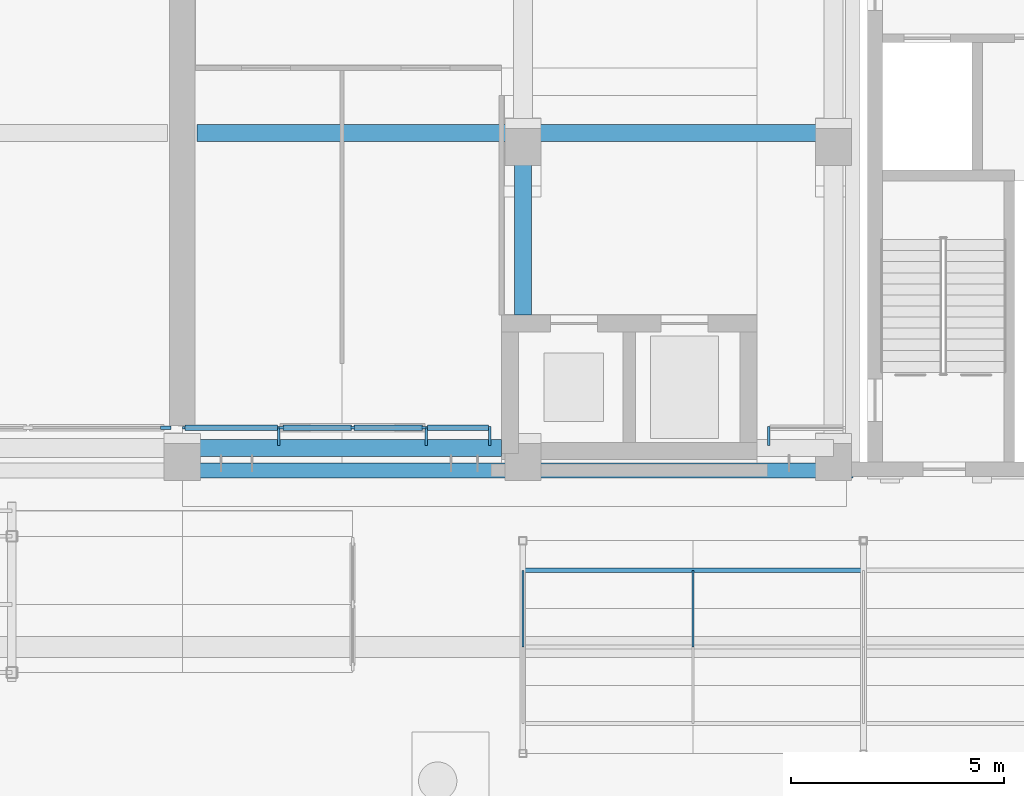
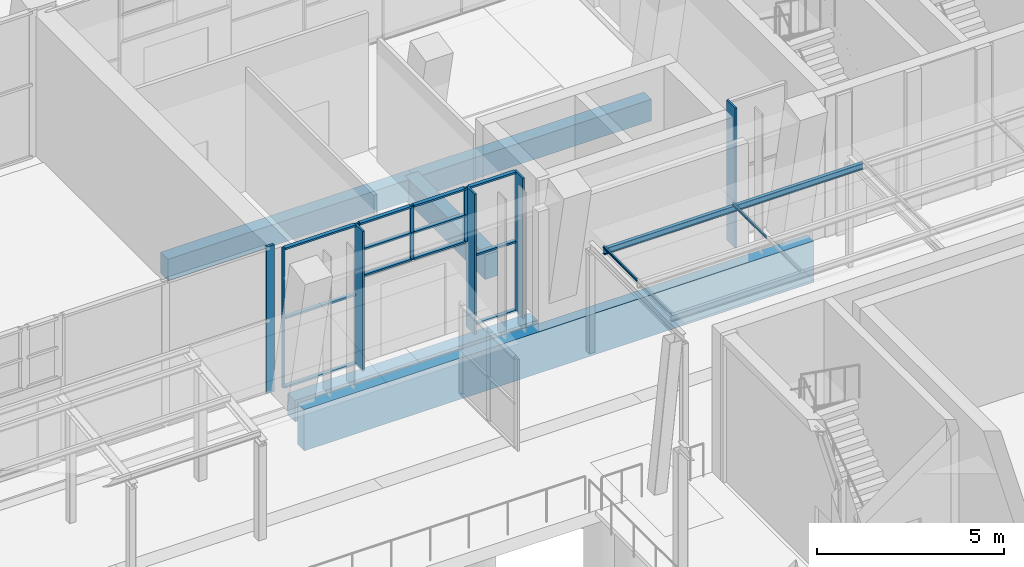
# One storey, part 40 of 144: 24 members, 5 beams, 5 elements without a shape of their own.
"""IFC4 building model written with IfcOpenShell, lengths in metres."""

from ifc_helpers import new_model, si_unit, direction, frame, origin, origin_2d, place, context, subcontext, project, spatial, rectangle, i_section, extrude, material, material_profile, profile_set, type_object, element, aggregate, save


model = new_model("IFC4")

# Units and contexts
model_context = context("Model", 3, precision=1e-05, world=origin(), true_north=direction((0.0, 1.0)))
body_context = subcontext(model_context, "Body", "Model", "MODEL_VIEW")
ifc_project = project(units=[si_unit("LENGTHUNIT", "METRE"), si_unit("AREAUNIT", "SQUARE_METRE"), si_unit("VOLUMEUNIT", "CUBIC_METRE"), si_unit("PLANEANGLEUNIT", "RADIAN"), si_unit("MASSUNIT", "GRAM", prefix="KILO")], contexts=[model_context])

# Site, building, storey
site_placement = place(None, origin())
site = spatial("IfcSite", under=ifc_project, at=site_placement, CompositionType="ELEMENT")
building_placement = place(site_placement, origin())
building = spatial("IfcBuilding", under=site, at=building_placement, Name="Lantern Court Media Centre", CompositionType="ELEMENT")
storey_placement = place(building_placement, origin())
storey = spatial("IfcBuildingStorey", under=building, at=storey_placement, Name="L00", CompositionType="ELEMENT", Elevation=0.0)

# Members
ifc_material_1 = material(Name="Steel S355J2 (EN 10025-2)", Category="steel")
ifc_material_profile_1 = material_profile(ifc_material_1, i_section(OverallWidth=0.10009765625, OverallDepth=0.199951171875, WebThickness=0.005615234375, FlangeThickness=0.008544921875, FilletRadius=0.011962890625, at=origin_2d()), Name="IPE 200")
ifc_profile_set_1 = profile_set([ifc_material_profile_1], Name="Steel S355J2 (EN 10025-2)")
member_type_1 = type_object("IfcMemberType", Name="Cloister canopy purlin IPE 200", PredefinedType="PURLIN", material=ifc_profile_set_1)
member_1_placement = place(storey_placement, frame((72.0, 45.800048828125, 3.699951171875), z_axis=(1.0, 0.0, 0.0), x_axis=(0.0, 1.0, 0.0)))
element("IfcMember", 1, at=member_1_placement, inside=storey, type_object=member_type_1, Name="Cloister purlin 2-3-1", PredefinedType="PURLIN", context=body_context, shape_type="SweptSolid", body=[
    extrude(i_section(OverallWidth=0.10009765625, OverallDepth=0.199951171875, WebThickness=0.005615234375, FlangeThickness=0.008544921875, FilletRadius=0.011962890625, at=origin_2d()), origin(), (0.0, 0.0, 1.0), 8.0),
])
ifc_material_profile_2 = material_profile(ifc_material_1, i_section(OverallWidth=0.0458984375, OverallDepth=0.080078125, WebThickness=0.00390625, FlangeThickness=0.005126953125, FilletRadius=0.0048828125, at=origin_2d()), Name="IPE 80")
ifc_profile_set_2 = profile_set([ifc_material_profile_2], Name="Steel S355J2 (EN 10025-2)")
member_type_2 = type_object("IfcMemberType", Name="Cloister sheeting rail IPE 80", PredefinedType="STRUT", material=ifc_profile_set_2)
for number, where, z_axis, x_axis, name in (
    (2, (72.0, 44.0, 3.840087890625), (0.0, 1.0, 0.0), (-1.0, 0.0, 0.0), "Cloister sheeting rail 2-1-2"),
    (3, (76.0, 44.0, 3.840087890625), (0.0, 1.0, 0.0), (-1.0, 0.0, 0.0), "Cloister sheeting rail 2-2-2"),
):
    element("IfcMember", number, at=place(storey_placement, frame(where, z_axis=z_axis, x_axis=x_axis)), inside=storey, type_object=member_type_2, Name=name, PredefinedType="STRUT", context=body_context, shape_type="SweptSolid", body=[
        extrude(i_section(OverallWidth=0.0458984375, OverallDepth=0.080078125, WebThickness=0.00390625, FlangeThickness=0.005126953125, FilletRadius=0.0048828125, at=origin_2d()), origin(), (0.0, 0.0, 1.0), 1.800048828125),
    ])

# Curtain wall, members
ifc_material_2 = material(Name="Curtain wall bay 1700")
curtain_wall_type_1 = type_object("IfcCurtainWallType", Name="Curtain wall bay 1700", PredefinedType="NOTDEFINED", material=ifc_material_2)
curtain_wall_1_placement = place(storey_placement, origin())
curtain_wall_1 = element("IfcCurtainWall", 4, at=curtain_wall_1_placement, inside=storey, type_object=curtain_wall_type_1, Name="Curtain wall S outer L00", PredefinedType="NOTDEFINED")
ifc_material_3 = material(Name="Anodised aluminium", Category="aluminium")
ifc_material_profile_3 = material_profile(ifc_material_3, rectangle(XDim=0.06005859375, YDim=0.1201171875, at=origin_2d()), Name="AL 60x120")
ifc_profile_set_3 = profile_set([ifc_material_profile_3], Name="Anodised aluminium")
member_type_3 = type_object("IfcMemberType", Name="Curtain wall mullion 60x120", PredefinedType="MULLION", material=ifc_profile_set_3)
member_2_placement = place(storey_placement, frame((66.330078125, 49.14990234375, 2.800048828125), z_axis=(0.0, 0.0, 1.0), x_axis=(0.0, 1.0, 0.0)))
member_2 = element("IfcMember", 5, at=member_2_placement, type_object=member_type_3, Name="CW4 mullion 1", PredefinedType="MULLION", context=body_context, shape_type="SweptSolid", body=[
    extrude(rectangle(XDim=0.06005859375, YDim=0.1201171875, at=origin_2d()), origin(), (0.0, 0.0, 1.0), 1.780029296875),
])
member_3_placement = place(storey_placement, frame((68.0, 49.14990234375, 2.800048828125), z_axis=(0.0, 0.0, 1.0), x_axis=(0.0, 1.0, 0.0)))
member_3 = element("IfcMember", 6, at=member_3_placement, type_object=member_type_3, Name="CW4 mullion 2", PredefinedType="MULLION", context=body_context, shape_type="SweptSolid", body=[
    extrude(rectangle(XDim=0.06005859375, YDim=0.1201171875, at=origin_2d()), origin(), (0.0, 0.0, 1.0), 1.780029296875),
])
member_4_placement = place(storey_placement, frame((69.669921875, 49.14990234375, 2.800048828125), z_axis=(0.0, 0.0, 1.0), x_axis=(0.0, 1.0, 0.0)))
member_4 = element("IfcMember", 7, at=member_4_placement, type_object=member_type_3, Name="CW4 mullion 3", PredefinedType="MULLION", context=body_context, shape_type="SweptSolid", body=[
    extrude(rectangle(XDim=0.06005859375, YDim=0.1201171875, at=origin_2d()), origin(), (0.0, 0.0, 1.0), 1.780029296875),
])

# Curtain wall, member
ifc_material_4 = material(Name="Curtain wall bay 3000")
curtain_wall_type_2 = type_object("IfcCurtainWallType", Name="Curtain wall bay 3000", PredefinedType="NOTDEFINED", material=ifc_material_4)
curtain_wall_2_placement = place(storey_placement, origin())
curtain_wall_2 = element("IfcCurtainWall", 8, at=curtain_wall_2_placement, inside=storey, type_object=curtain_wall_type_2, Name="Curtain wall S outer L00", PredefinedType="NOTDEFINED")
ifc_material_profile_4 = material_profile(ifc_material_3, rectangle(XDim=0.449951171875, YDim=0.06005859375, at=origin_2d()), Name="AL 60x450")
ifc_profile_set_4 = profile_set([ifc_material_profile_4], Name="Anodised aluminium")
member_type_4 = type_object("IfcMemberType", Name="Curtain wall mullion 60x450", PredefinedType="MULLION", material=ifc_profile_set_4)
member_5_placement = place(storey_placement, frame((66.27001953125, 48.955078125, 0.0), z_axis=(0.0, 0.0, 1.0), x_axis=(0.0, 1.0, 0.0)))
member_5 = element("IfcMember", 9, at=member_5_placement, type_object=member_type_4, Name="CW1 mullion 2", PredefinedType="MULLION", context=body_context, shape_type="SweptSolid", body=[
    extrude(rectangle(XDim=0.449951171875, YDim=0.06005859375, at=origin_2d()), origin(), (0.0, 0.0, 1.0), 4.580078125),
])

# Curtain wall, members
curtain_wall_3_placement = place(storey_placement, origin())
curtain_wall_3 = element("IfcCurtainWall", 10, at=curtain_wall_3_placement, inside=storey, type_object=curtain_wall_type_2, Name="Curtain wall S outer L00", PredefinedType="NOTDEFINED")
member_6_placement = place(storey_placement, frame((69.72998046875, 48.955078125, 0.0), z_axis=(0.0, 0.0, 1.0), x_axis=(0.0, 1.0, 0.0)))
member_6 = element("IfcMember", 11, at=member_6_placement, type_object=member_type_4, Name="CW1 mullion 1", PredefinedType="MULLION", context=body_context, shape_type="SweptSolid", body=[
    extrude(rectangle(XDim=0.449951171875, YDim=0.06005859375, at=origin_2d()), origin(), (0.0, 0.0, 1.0), 4.580078125),
])
member_7_placement = place(storey_placement, frame((71.219970703125, 48.955078125, 0.0), z_axis=(0.0, 0.0, 1.0), x_axis=(0.0, 1.0, 0.0)))
member_7 = element("IfcMember", 12, at=member_7_placement, type_object=member_type_4, Name="CW1 mullion 2", PredefinedType="MULLION", context=body_context, shape_type="SweptSolid", body=[
    extrude(rectangle(XDim=0.449951171875, YDim=0.06005859375, at=origin_2d()), origin(), (0.0, 0.0, 1.0), 4.580078125),
])

# Curtain wall, member
curtain_wall_4_placement = place(storey_placement, origin())
curtain_wall_4 = element("IfcCurtainWall", 13, at=curtain_wall_4_placement, inside=storey, type_object=curtain_wall_type_2, Name="Curtain wall S outer L00", PredefinedType="NOTDEFINED")
member_8_placement = place(storey_placement, frame((77.780029296875, 48.955078125, 0.0), z_axis=(0.0, 0.0, 1.0), x_axis=(0.0, 1.0, 0.0)))
member_8 = element("IfcMember", 14, at=member_8_placement, type_object=member_type_4, Name="CW1 mullion 1", PredefinedType="MULLION", context=body_context, shape_type="SweptSolid", body=[
    extrude(rectangle(XDim=0.449951171875, YDim=0.06005859375, at=origin_2d()), origin(), (0.0, 0.0, 1.0), 4.580078125),
])
aggregate(curtain_wall_4, [member_8])

# Member
ifc_material_profile_5 = material_profile(ifc_material_3, rectangle(XDim=0.06005859375, YDim=0.06005859375, at=origin_2d()), Name="AL 60x60")
ifc_profile_set_5 = profile_set([ifc_material_profile_5], Name="Anodised aluminium")
member_type_5 = type_object("IfcMemberType", Name="Curtain wall mullion 60x60", PredefinedType="MULLION", material=ifc_profile_set_5)
member_9_placement = place(storey_placement, frame((64.030029296875, 49.14990234375, 0.0), z_axis=(0.0, 0.0, 1.0), x_axis=(0.0, 1.0, 0.0)))
member_9 = element("IfcMember", 15, at=member_9_placement, type_object=member_type_5, Name="CW1 mullion 1", PredefinedType="MULLION", context=body_context, shape_type="SweptSolid", body=[
    extrude(rectangle(XDim=0.06005859375, YDim=0.06005859375, at=origin_2d()), origin(), (0.0, 0.0, 1.0), 4.580078125),
])

# Curtain wall, member
ifc_material_5 = material(Name="Curtain wall bay 4000")
curtain_wall_type_3 = type_object("IfcCurtainWallType", Name="Curtain wall bay 4000", PredefinedType="NOTDEFINED", material=ifc_material_5)
curtain_wall_5_placement = place(storey_placement, origin())
curtain_wall_5 = element("IfcCurtainWall", 16, at=curtain_wall_5_placement, inside=storey, type_object=curtain_wall_type_3, Name="Curtain wall S outer L00", PredefinedType="NOTDEFINED")
ifc_material_profile_6 = material_profile(ifc_material_3, rectangle(XDim=0.080078125, YDim=0.239990234375, at=origin_2d()), Name="AL 80x240")
ifc_profile_set_6 = profile_set([ifc_material_profile_6], Name="Anodised aluminium")
member_type_6 = type_object("IfcMemberType", Name="Curtain wall mullion 80x240", PredefinedType="MULLION", material=ifc_profile_set_6)
member_10_placement = place(storey_placement, frame((63.610107421875, 49.14990234375, 0.0), z_axis=(0.0, 0.0, 1.0), x_axis=(0.0, 1.0, 0.0)))
member_10 = element("IfcMember", 17, at=member_10_placement, type_object=member_type_6, Name="CW3 mullion 3", PredefinedType="MULLION", context=body_context, shape_type="SweptSolid", body=[
    extrude(rectangle(XDim=0.080078125, YDim=0.239990234375, at=origin_2d()), origin(), (0.0, 0.0, 1.0), 4.800048828125),
])
aggregate(curtain_wall_5, [member_10])

# Member
ifc_material_profile_7 = material_profile(ifc_material_3, rectangle(XDim=0.1201171875, YDim=0.06005859375, at=origin_2d()), Name="AL 60x120")
ifc_profile_set_7 = profile_set([ifc_material_profile_7], Name="Anodised aluminium")
member_type_7 = type_object("IfcMemberType", Name="Curtain wall transom 60x120", PredefinedType="USERDEFINED", material=ifc_profile_set_7)
member_11_placement = place(storey_placement, frame((64.06005859375, 49.14990234375, 0.030029296875), z_axis=(1.0, 0.0, 0.0), x_axis=(0.0, 1.0, 0.0)))
member_11 = element("IfcMember", 18, at=member_11_placement, type_object=member_type_7, Name="CW1 transom 1.1", ObjectType="TRANSOM", PredefinedType="USERDEFINED", context=body_context, shape_type="SweptSolid", body=[
    extrude(rectangle(XDim=0.1201171875, YDim=0.06005859375, at=origin_2d()), origin(), (0.0, 0.0, 1.0), 2.179931640625),
])

member_12_placement = place(storey_placement, frame((64.06005859375, 49.14990234375, 2.2900390625), z_axis=(1.0, 0.0, 0.0), x_axis=(0.0, 1.0, 0.0)))
member_12 = element("IfcMember", 19, at=member_12_placement, type_object=member_type_7, Name="CW1 transom 1.2", ObjectType="TRANSOM", PredefinedType="USERDEFINED", context=body_context, shape_type="SweptSolid", body=[
    extrude(rectangle(XDim=0.1201171875, YDim=0.06005859375, at=origin_2d()), origin(), (0.0, 0.0, 1.0), 2.179931640625),
])

member_13_placement = place(storey_placement, frame((64.06005859375, 49.14990234375, 4.550048828125), z_axis=(1.0, 0.0, 0.0), x_axis=(0.0, 1.0, 0.0)))
member_13 = element("IfcMember", 20, at=member_13_placement, type_object=member_type_7, Name="CW1 transom 1.3", ObjectType="TRANSOM", PredefinedType="USERDEFINED", context=body_context, shape_type="SweptSolid", body=[
    extrude(rectangle(XDim=0.1201171875, YDim=0.06005859375, at=origin_2d()), origin(), (0.0, 0.0, 1.0), 2.179931640625),
])

aggregate(curtain_wall_2, [member_9, member_5, member_11, member_12, member_13])

member_14_placement = place(storey_placement, frame((69.760009765625, 49.14990234375, 0.030029296875), z_axis=(1.0, 0.0, 0.0), x_axis=(0.0, 1.0, 0.0)))
member_14 = element("IfcMember", 21, at=member_14_placement, type_object=member_type_7, Name="CW1 transom 1.1", ObjectType="TRANSOM", PredefinedType="USERDEFINED", context=body_context, shape_type="SweptSolid", body=[
    extrude(rectangle(XDim=0.1201171875, YDim=0.06005859375, at=origin_2d()), origin(), (0.0, 0.0, 1.0), 1.429931640625),
])

member_15_placement = place(storey_placement, frame((69.760009765625, 49.14990234375, 2.2900390625), z_axis=(1.0, 0.0, 0.0), x_axis=(0.0, 1.0, 0.0)))
member_15 = element("IfcMember", 22, at=member_15_placement, type_object=member_type_7, Name="CW1 transom 1.2", ObjectType="TRANSOM", PredefinedType="USERDEFINED", context=body_context, shape_type="SweptSolid", body=[
    extrude(rectangle(XDim=0.1201171875, YDim=0.06005859375, at=origin_2d()), origin(), (0.0, 0.0, 1.0), 1.429931640625),
])

member_16_placement = place(storey_placement, frame((69.760009765625, 49.14990234375, 4.550048828125), z_axis=(1.0, 0.0, 0.0), x_axis=(0.0, 1.0, 0.0)))
member_16 = element("IfcMember", 23, at=member_16_placement, type_object=member_type_7, Name="CW1 transom 1.3", ObjectType="TRANSOM", PredefinedType="USERDEFINED", context=body_context, shape_type="SweptSolid", body=[
    extrude(rectangle(XDim=0.1201171875, YDim=0.06005859375, at=origin_2d()), origin(), (0.0, 0.0, 1.0), 1.429931640625),
])

aggregate(curtain_wall_3, [member_6, member_7, member_14, member_15, member_16])

member_17_placement = place(storey_placement, frame((66.360107421875, 49.14990234375, 2.830078125), z_axis=(1.0, 0.0, 0.0), x_axis=(0.0, 1.0, 0.0)))
member_17 = element("IfcMember", 24, at=member_17_placement, type_object=member_type_7, Name="CW4 transom 1.1", ObjectType="TRANSOM", PredefinedType="USERDEFINED", context=body_context, shape_type="SweptSolid", body=[
    extrude(rectangle(XDim=0.1201171875, YDim=0.06005859375, at=origin_2d()), origin(), (0.0, 0.0, 1.0), 1.60986328125),
])

member_18_placement = place(storey_placement, frame((66.360107421875, 49.14990234375, 3.68994140625), z_axis=(1.0, 0.0, 0.0), x_axis=(0.0, 1.0, 0.0)))
member_18 = element("IfcMember", 25, at=member_18_placement, type_object=member_type_7, Name="CW4 transom 1.2", ObjectType="TRANSOM", PredefinedType="USERDEFINED", context=body_context, shape_type="SweptSolid", body=[
    extrude(rectangle(XDim=0.1201171875, YDim=0.06005859375, at=origin_2d()), origin(), (0.0, 0.0, 1.0), 1.60986328125),
])

member_19_placement = place(storey_placement, frame((66.360107421875, 49.14990234375, 4.550048828125), z_axis=(1.0, 0.0, 0.0), x_axis=(0.0, 1.0, 0.0)))
member_19 = element("IfcMember", 26, at=member_19_placement, type_object=member_type_7, Name="CW4 transom 1.3", ObjectType="TRANSOM", PredefinedType="USERDEFINED", context=body_context, shape_type="SweptSolid", body=[
    extrude(rectangle(XDim=0.1201171875, YDim=0.06005859375, at=origin_2d()), origin(), (0.0, 0.0, 1.0), 1.60986328125),
])

member_20_placement = place(storey_placement, frame((68.030029296875, 49.14990234375, 2.830078125), z_axis=(1.0, 0.0, 0.0), x_axis=(0.0, 1.0, 0.0)))
member_20 = element("IfcMember", 27, at=member_20_placement, type_object=member_type_7, Name="CW4 transom 2.1", ObjectType="TRANSOM", PredefinedType="USERDEFINED", context=body_context, shape_type="SweptSolid", body=[
    extrude(rectangle(XDim=0.1201171875, YDim=0.06005859375, at=origin_2d()), origin(), (0.0, 0.0, 1.0), 1.60986328125),
])

member_21_placement = place(storey_placement, frame((68.030029296875, 49.14990234375, 3.68994140625), z_axis=(1.0, 0.0, 0.0), x_axis=(0.0, 1.0, 0.0)))
member_21 = element("IfcMember", 28, at=member_21_placement, type_object=member_type_7, Name="CW4 transom 2.2", ObjectType="TRANSOM", PredefinedType="USERDEFINED", context=body_context, shape_type="SweptSolid", body=[
    extrude(rectangle(XDim=0.1201171875, YDim=0.06005859375, at=origin_2d()), origin(), (0.0, 0.0, 1.0), 1.60986328125),
])

member_22_placement = place(storey_placement, frame((68.030029296875, 49.14990234375, 4.550048828125), z_axis=(1.0, 0.0, 0.0), x_axis=(0.0, 1.0, 0.0)))
member_22 = element("IfcMember", 29, at=member_22_placement, type_object=member_type_7, Name="CW4 transom 2.3", ObjectType="TRANSOM", PredefinedType="USERDEFINED", context=body_context, shape_type="SweptSolid", body=[
    extrude(rectangle(XDim=0.1201171875, YDim=0.06005859375, at=origin_2d()), origin(), (0.0, 0.0, 1.0), 1.60986328125),
])

aggregate(curtain_wall_1, [member_2, member_3, member_4, member_17, member_18, member_19, member_20, member_21, member_22])

# Beams
ifc_material_6 = material(Name="Concrete C35", Category="concrete")
ifc_material_profile_8 = material_profile(ifc_material_6, rectangle(XDim=0.35009765625, YDim=1.35009765625, at=origin_2d()), Name="RC 350x1350")
ifc_profile_set_8 = profile_set([ifc_material_profile_8], Name="Concrete C35")
beam_type_1 = type_object("IfcBeamType", Name="RC BEAM 350x1350", PredefinedType="BEAM", material=ifc_profile_set_8)
beam_1_placement = place(storey_placement, frame((64.0, 48.14990234375, -0.675048828125), z_axis=(1.0, 0.0, 0.0), x_axis=(0.0, 1.0, 0.0)))
element("IfcBeam", 30, at=beam_1_placement, inside=storey, type_object=beam_type_1, Name="EB-S-L00-A-2", PredefinedType="BEAM", context=body_context, shape_type="SweptSolid", body=[
    extrude(rectangle(XDim=0.35009765625, YDim=1.35009765625, at=origin_2d()), origin(), (0.0, 0.0, 1.0), 15.75),
])
ifc_material_profile_9 = material_profile(ifc_material_6, rectangle(XDim=0.39990234375, YDim=0.699951171875, at=origin_2d()), Name="RC 400x700")
ifc_profile_set_9 = profile_set([ifc_material_profile_9], Name="Concrete C35")
beam_type_2 = type_object("IfcBeamType", Name="RC BEAM 400x700", PredefinedType="BEAM", material=ifc_profile_set_9)
beam_2_placement = place(storey_placement, frame((64.0, 48.6728515625, -0.35009765625), z_axis=(1.0, 0.0, 0.0), x_axis=(0.0, 1.0, 0.0)))
element("IfcBeam", 31, at=beam_2_placement, inside=storey, type_object=beam_type_2, Name="LB-S-L00-0-5", PredefinedType="BEAM", context=body_context, shape_type="SweptSolid", body=[
    extrude(rectangle(XDim=0.39990234375, YDim=0.699951171875, at=origin_2d()), origin(), (0.0, 0.0, 1.0), 7.5),
])
beam_3_placement = place(storey_placement, frame((64.35009765625, 56.072998046875, -0.35009765625), z_axis=(1.0, 0.0, 0.0), x_axis=(0.0, 1.0, 0.0)))
element("IfcBeam", 32, at=beam_3_placement, inside=storey, type_object=beam_type_2, Name="LB-S-L00-1-5", PredefinedType="BEAM", context=body_context, shape_type="SweptSolid", body=[
    extrude(rectangle(XDim=0.39990234375, YDim=0.699951171875, at=origin_2d()), origin(), (0.0, 0.0, 1.0), 7.64990234375),
])
beam_4_placement = place(storey_placement, frame((72.0, 56.072998046875, -0.35009765625), z_axis=(1.0, 0.0, 0.0), x_axis=(0.0, 1.0, 0.0)))
element("IfcBeam", 33, at=beam_4_placement, inside=storey, type_object=beam_type_2, Name="LB-S-L00-1-6", PredefinedType="BEAM", context=body_context, shape_type="SweptSolid", body=[
    extrude(rectangle(XDim=0.39990234375, YDim=0.699951171875, at=origin_2d()), origin(), (0.0, 0.0, 1.0), 7.300048828125),
])
ifc_material_profile_10 = material_profile(ifc_material_6, rectangle(XDim=0.39990234375, YDim=0.800048828125, at=origin_2d()), Name="RC 400x800")
ifc_profile_set_10 = profile_set([ifc_material_profile_10], Name="Concrete C35")
beam_type_3 = type_object("IfcBeamType", Name="RC BEAM 400x800", PredefinedType="BEAM", material=ifc_profile_set_10)
beam_5_placement = place(storey_placement, frame((72.0, 51.800048828125, -0.39990234375), z_axis=(0.0, 1.0, 0.0), x_axis=(-1.0, 0.0, 0.0)))
element("IfcBeam", 34, at=beam_5_placement, inside=storey, type_object=beam_type_3, Name="TB-S-L00-6-1", PredefinedType="BEAM", context=body_context, shape_type="SweptSolid", body=[
    extrude(rectangle(XDim=0.39990234375, YDim=0.800048828125, at=origin_2d()), origin(), (0.0, 0.0, 1.0), 4.283203125),
])

save(model, "model.ifc")
